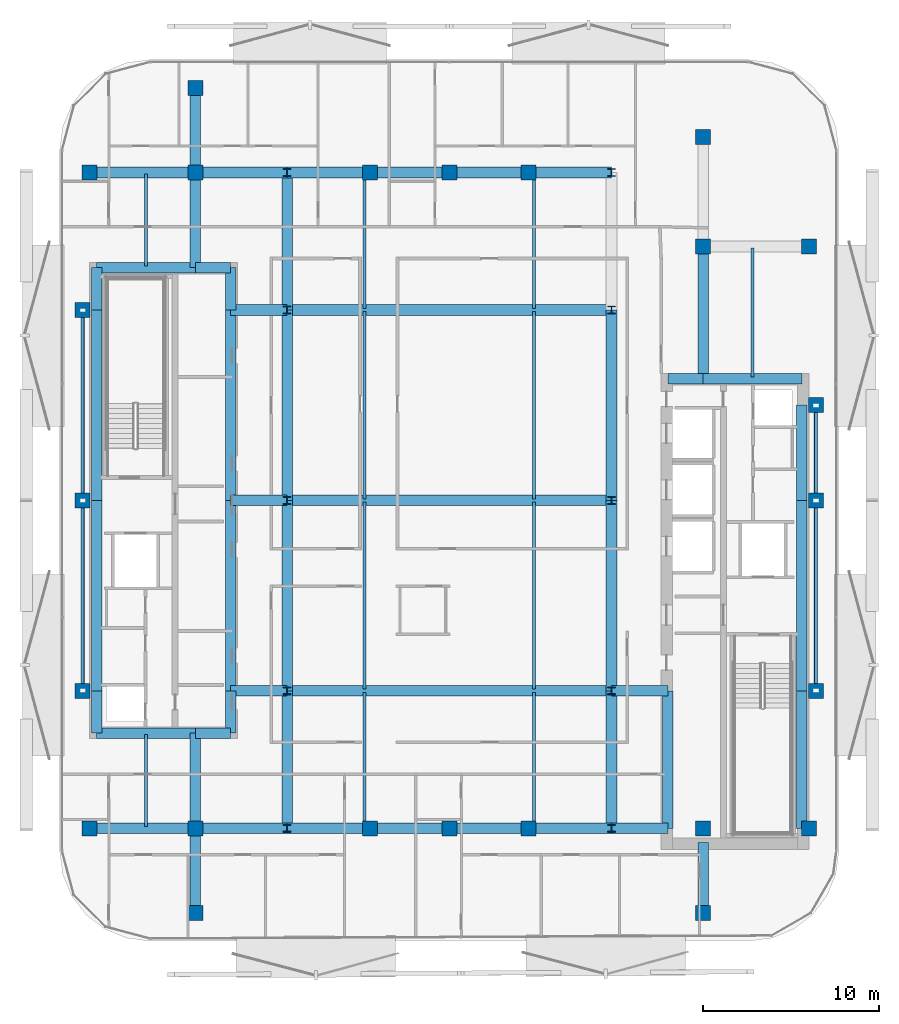
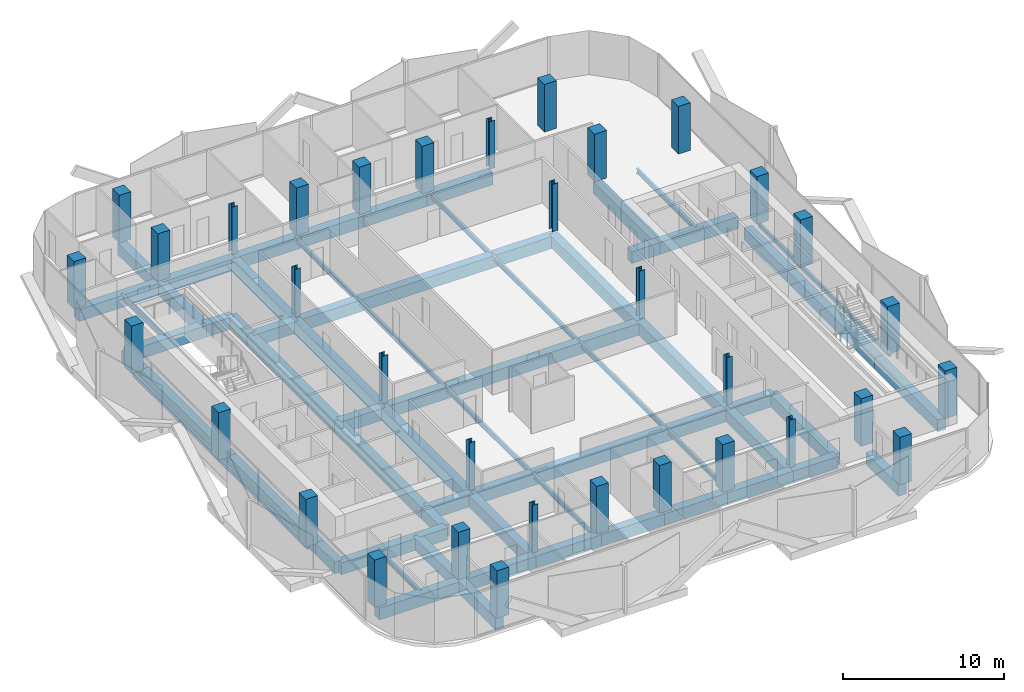
# One storey, part 1 of 14: 66 beams, 34 columns.
"""IFC4 building model written with IfcOpenShell, lengths in metres."""

from ifc_helpers import new_model, si_unit, direction, frame, origin, origin_2d, place, context, subcontext, project, spatial, rectangle, hollow_rectangle, i_section, extrude, material, material_profile, profile_set, type_object, element, save


model = new_model("IFC4")

# Units and contexts
model_context = context("Model", 3, precision=1e-05, world=origin(), true_north=direction((0.0, 1.0)))
body_context = subcontext(model_context, "Body", "Model", "MODEL_VIEW")
ifc_project = project(units=[si_unit("LENGTHUNIT", "METRE"), si_unit("AREAUNIT", "SQUARE_METRE"), si_unit("VOLUMEUNIT", "CUBIC_METRE"), si_unit("PLANEANGLEUNIT", "RADIAN"), si_unit("MASSUNIT", "GRAM", prefix="KILO")], contexts=[model_context])

# Site, building, storey
site_placement = place(None, origin())
site = spatial("IfcSite", under=ifc_project, at=site_placement, CompositionType="ELEMENT")
building_placement = place(site_placement, origin())
building = spatial("IfcBuilding", under=site, at=building_placement, Name="Khairoan Windgate Tower", CompositionType="ELEMENT")
storey_placement = place(building_placement, frame((0.0, 0.0, 229.60009765625)))
storey = spatial("IfcBuildingStorey", under=building, at=storey_placement, Name="L53", CompositionType="ELEMENT", Elevation=229.60009765625)

# Columns
ifc_material_1 = material(Name="Concrete C50/60", Category="concrete")
ifc_material_profile_1 = material_profile(ifc_material_1, rectangle(XDim=0.85009765625, YDim=0.85009765625, at=origin_2d()))
ifc_profile_set_1 = profile_set([ifc_material_profile_1], Name="Concrete C50/60")
column_type_1 = type_object("IfcColumnType", Name="Column C-T5 RC850x850", PredefinedType="COLUMN", material=ifc_profile_set_1)
for number, where, z_axis, x_axis, name in (
    (1, (-20.39990234375, -18.60009765625, 0.0), (0.0, 0.0, 1.0), (1.0, 0.0, 0.0), "Column L53-11"),
    (2, (-20.39990234375, 18.60009765625, 0.0), (0.0, 0.0, 1.0), (1.0, 0.0, 0.0), "Column L53-12"),
    (3, (20.39990234375, -18.60009765625, 0.0), (0.0, 0.0, 1.0), (1.0, 0.0, 0.0), "Column L53-13"),
    (4, (20.39990234375, 14.39990234375, 0.0), (0.0, 0.0, 1.0), (1.0, 0.0, 0.0), "Column L53-14"),
    (5, (-14.39990234375, -18.60009765625, 0.0), (0.0, 0.0, 1.0), (1.0, 0.0, 0.0), "Column L53-15"),
    (6, (-14.39990234375, 18.60009765625, 0.0), (0.0, 0.0, 1.0), (1.0, 0.0, 0.0), "Column L53-16"),
    (7, (14.39990234375, -18.60009765625, 0.0), (0.0, 0.0, 1.0), (1.0, 0.0, 0.0), "Column L53-17"),
    (8, (14.39990234375, 14.39990234375, 0.0), (0.0, 0.0, 1.0), (1.0, 0.0, 0.0), "Column L53-18"),
    (9, (-4.5, -18.60009765625, 0.0), (0.0, 0.0, 1.0), (1.0, 0.0, 0.0), "Column L53-19"),
    (10, (0.0, -18.60009765625, 0.0), (0.0, 0.0, 1.0), (1.0, 0.0, 0.0), "Column L53-20"),
    (11, (4.5, -18.60009765625, 0.0), (0.0, 0.0, 1.0), (1.0, 0.0, 0.0), "Column L53-21"),
    (12, (-4.5, 18.60009765625, 0.0), (0.0, 0.0, 1.0), (1.0, 0.0, 0.0), "Column L53-22"),
    (13, (0.0, 18.60009765625, 0.0), (0.0, 0.0, 1.0), (1.0, 0.0, 0.0), "Column L53-23"),
    (14, (4.5, 18.60009765625, 0.0), (0.0, 0.0, 1.0), (1.0, 0.0, 0.0), "Column L53-24"),
    (15, (-20.800048828125, -10.800048828125, 0.0), (0.0, 0.0, 1.0), (1.0, 0.0, 0.0), "Column L53-25"),
    (16, (-20.800048828125, 0.0, 0.0), (0.0, 0.0, 1.0), (1.0, 0.0, 0.0), "Column L53-26"),
    (17, (-20.800048828125, 10.800048828125, 0.0), (0.0, 0.0, 1.0), (1.0, 0.0, 0.0), "Column L53-27"),
    (18, (20.800048828125, -10.800048828125, 0.0), (0.0, 0.0, 1.0), (1.0, 0.0, 0.0), "Column L53-28"),
    (19, (20.800048828125, 0.0, 0.0), (0.0, 0.0, 1.0), (1.0, 0.0, 0.0), "Column L53-29"),
    (20, (20.800048828125, 5.39990234375, 0.0), (0.0, 0.0, 1.0), (1.0, 0.0, 0.0), "Column L53-30"),
    (21, (-14.39990234375, -23.39990234375, 0.0), (0.0, 0.0, 1.0), (1.0, 0.0, 0.0), "Column L53-31"),
    (22, (-14.39990234375, 23.39990234375, 0.0), (0.0, 0.0, 1.0), (1.0, 0.0, 0.0), "Column L53-32"),
    (23, (14.39990234375, -23.39990234375, 0.0), (0.0, 0.0, 1.0), (1.0, 0.0, 0.0), "Column L53-33"),
    (24, (14.39990234375, 20.60009765625, 0.0), (0.0, 0.0, 1.0), (1.0, 0.0, 0.0), "Column L53-34"),
):
    element("IfcColumn", number, at=place(storey_placement, frame(where, z_axis=z_axis, x_axis=x_axis)), inside=storey, type_object=column_type_1, Name=name, PredefinedType="COLUMN", context=body_context, shape_type="SweptSolid", body=[
        extrude(rectangle(XDim=0.85009765625, YDim=0.85009765625, at=origin_2d()), origin(), (0.0, 0.0, 1.0), 3.599853515625),
    ])
ifc_material_2 = material(Name="Steel S355", Category="steel")
ifc_material_profile_2 = material_profile(ifc_material_2, i_section(OverallWidth=0.406982421875, OverallDepth=0.427978515625, WebThickness=0.02001953125, FlangeThickness=0.034912109375, FilletRadius=0.02197265625, at=origin_2d()))
ifc_profile_set_2 = profile_set([ifc_material_profile_2], Name="Steel S355")
column_type_2 = type_object("IfcColumnType", Name="Steel Column SC3 H428x407x20x35", PredefinedType="COLUMN", material=ifc_profile_set_2)
for number, where, z_axis, x_axis, name in (
    (25, (-9.199951171875, -18.60009765625, 0.0), (0.0, 0.0, 1.0), (1.0, 0.0, 0.0), "Column L53-01"),
    (26, (-9.199951171875, -10.800048828125, 0.0), (0.0, 0.0, 1.0), (1.0, 0.0, 0.0), "Column L53-02"),
    (27, (-9.199951171875, 0.0, 0.0), (0.0, 0.0, 1.0), (1.0, 0.0, 0.0), "Column L53-03"),
    (28, (-9.199951171875, 10.800048828125, 0.0), (0.0, 0.0, 1.0), (1.0, 0.0, 0.0), "Column L53-04"),
    (29, (-9.199951171875, 18.60009765625, 0.0), (0.0, 0.0, 1.0), (1.0, 0.0, 0.0), "Column L53-05"),
    (30, (9.199951171875, -18.60009765625, 0.0), (0.0, 0.0, 1.0), (1.0, 0.0, 0.0), "Column L53-06"),
    (31, (9.199951171875, -10.800048828125, 0.0), (0.0, 0.0, 1.0), (1.0, 0.0, 0.0), "Column L53-07"),
    (32, (9.199951171875, 0.0, 0.0), (0.0, 0.0, 1.0), (1.0, 0.0, 0.0), "Column L53-08"),
    (33, (9.199951171875, 10.800048828125, 0.0), (0.0, 0.0, 1.0), (1.0, 0.0, 0.0), "Column L53-09"),
    (34, (9.199951171875, 18.60009765625, 0.0), (0.0, 0.0, 1.0), (1.0, 0.0, 0.0), "Column L53-10"),
):
    element("IfcColumn", number, at=place(storey_placement, frame(where, z_axis=z_axis, x_axis=x_axis)), inside=storey, type_object=column_type_2, Name=name, PredefinedType="COLUMN", context=body_context, shape_type="SweptSolid", body=[
        extrude(i_section(OverallWidth=0.406982421875, OverallDepth=0.427978515625, WebThickness=0.02001953125, FlangeThickness=0.034912109375, FilletRadius=0.02197265625, at=origin_2d()), origin(), (0.0, 0.0, 1.0), 3.599853515625),
    ])

# Beams
ifc_material_3 = material(Name="Concrete C50/60", Category="concrete")
ifc_material_profile_3 = material_profile(ifc_material_3, rectangle(XDim=0.60009765625, YDim=0.89990234375, at=origin_2d()))
ifc_profile_set_3 = profile_set([ifc_material_profile_3], Name="Concrete C50/60")
beam_type_1 = type_object("IfcBeamType", Name="Beam B-RC1 RC600x900", PredefinedType="BEAM", material=ifc_profile_set_3)
beam_1_placement = place(storey_placement, frame((-20.39990234375, -18.60009765625, -0.710205078125), z_axis=(1.0, 0.0, 0.0), x_axis=(0.0, 1.0, 0.0)))
element("IfcBeam", 35, at=beam_1_placement, inside=storey, type_object=beam_type_1, Name="L53 E-W Primary Girder 01", PredefinedType="BEAM", context=body_context, shape_type="SweptSolid", body=[
    extrude(rectangle(XDim=0.60009765625, YDim=0.89990234375, at=origin_2d()), origin(), (0.0, 0.0, 1.0), 6.0),
])
beam_2_placement = place(storey_placement, frame((-14.39990234375, -18.60009765625, -0.710205078125), z_axis=(1.0, 0.0, 0.0), x_axis=(0.0, 1.0, 0.0)))
element("IfcBeam", 36, at=beam_2_placement, inside=storey, type_object=beam_type_1, Name="L53 E-W Primary Girder 02", PredefinedType="BEAM", context=body_context, shape_type="SweptSolid", body=[
    extrude(rectangle(XDim=0.60009765625, YDim=0.89990234375, at=origin_2d()), origin(), (0.0, 0.0, 1.0), 5.199951171875),
])
beam_3_placement = place(storey_placement, frame((-9.199951171875, -18.60009765625, -0.710205078125), z_axis=(1.0, 0.0, 0.0), x_axis=(0.0, 1.0, 0.0)))
element("IfcBeam", 37, at=beam_3_placement, inside=storey, type_object=beam_type_1, Name="L53 E-W Primary Girder 03", PredefinedType="BEAM", context=body_context, shape_type="SweptSolid", body=[
    extrude(rectangle(XDim=0.60009765625, YDim=0.89990234375, at=origin_2d()), origin(), (0.0, 0.0, 1.0), 4.699951171875),
])
for number, where, z_axis, x_axis, name in (
    (38, (-4.5, -18.60009765625, -0.710205078125), (1.0, 0.0, 0.0), (0.0, 1.0, 0.0), "L53 E-W Primary Girder 04"),
    (39, (0.0, -18.60009765625, -0.710205078125), (1.0, 0.0, 0.0), (0.0, 1.0, 0.0), "L53 E-W Primary Girder 05"),
):
    element("IfcBeam", number, at=place(storey_placement, frame(where, z_axis=z_axis, x_axis=x_axis)), inside=storey, type_object=beam_type_1, Name=name, PredefinedType="BEAM", context=body_context, shape_type="SweptSolid", body=[
        extrude(rectangle(XDim=0.60009765625, YDim=0.89990234375, at=origin_2d()), origin(), (0.0, 0.0, 1.0), 4.5),
    ])
beam_4_placement = place(storey_placement, frame((4.5, -18.60009765625, -0.710205078125), z_axis=(1.0, 0.0, 0.0), x_axis=(0.0, 1.0, 0.0)))
element("IfcBeam", 40, at=beam_4_placement, inside=storey, type_object=beam_type_1, Name="L53 E-W Primary Girder 06", PredefinedType="BEAM", context=body_context, shape_type="SweptSolid", body=[
    extrude(rectangle(XDim=0.60009765625, YDim=0.89990234375, at=origin_2d()), origin(), (0.0, 0.0, 1.0), 4.699951171875),
])
beam_5_placement = place(storey_placement, frame((9.199951171875, -18.60009765625, -0.710205078125), z_axis=(1.0, 0.0, 0.0), x_axis=(0.0, 1.0, 0.0)))
element("IfcBeam", 41, at=beam_5_placement, inside=storey, type_object=beam_type_1, Name="L53 E-W Primary Girder 07", PredefinedType="BEAM", context=body_context, shape_type="SweptSolid", body=[
    extrude(rectangle(XDim=0.60009765625, YDim=0.89990234375, at=origin_2d()), origin(), (0.0, 0.0, 1.0), 3.199951171875),
])
beam_6_placement = place(storey_placement, frame((-20.0, -13.199951171875, -0.710205078125), z_axis=(1.0, 0.0, 0.0), x_axis=(0.0, 1.0, 0.0)))
element("IfcBeam", 42, at=beam_6_placement, inside=storey, type_object=beam_type_1, Name="L53 E-W Primary Girder 08", PredefinedType="BEAM", context=body_context, shape_type="SweptSolid", body=[
    extrude(rectangle(XDim=0.60009765625, YDim=0.89990234375, at=origin_2d()), origin(), (0.0, 0.0, 1.0), 5.60009765625),
])
beam_7_placement = place(storey_placement, frame((-14.39990234375, -13.199951171875, -0.710205078125), z_axis=(1.0, 0.0, 0.0), x_axis=(0.0, 1.0, 0.0)))
element("IfcBeam", 43, at=beam_7_placement, inside=storey, type_object=beam_type_1, Name="L53 E-W Primary Girder 09", PredefinedType="BEAM", context=body_context, shape_type="SweptSolid", body=[
    extrude(rectangle(XDim=0.60009765625, YDim=0.89990234375, at=origin_2d()), origin(), (0.0, 0.0, 1.0), 2.0),
])
beam_8_placement = place(storey_placement, frame((-12.39990234375, -10.800048828125, -0.710205078125), z_axis=(1.0, 0.0, 0.0), x_axis=(0.0, 1.0, 0.0)))
element("IfcBeam", 44, at=beam_8_placement, inside=storey, type_object=beam_type_1, Name="L53 E-W Primary Girder 10", PredefinedType="BEAM", context=body_context, shape_type="SweptSolid", body=[
    extrude(rectangle(XDim=0.60009765625, YDim=0.89990234375, at=origin_2d()), origin(), (0.0, 0.0, 1.0), 3.199951171875),
])
beam_9_placement = place(storey_placement, frame((-9.199951171875, -10.800048828125, -0.710205078125), z_axis=(1.0, 0.0, 0.0), x_axis=(0.0, 1.0, 0.0)))
element("IfcBeam", 45, at=beam_9_placement, inside=storey, type_object=beam_type_1, Name="L53 E-W Primary Girder 11", PredefinedType="BEAM", context=body_context, shape_type="SweptSolid", body=[
    extrude(rectangle(XDim=0.60009765625, YDim=0.89990234375, at=origin_2d()), origin(), (0.0, 0.0, 1.0), 18.39990234375),
])
for number, where, z_axis, x_axis, name in (
    (46, (9.199951171875, -10.800048828125, -0.710205078125), (1.0, 0.0, 0.0), (0.0, 1.0, 0.0), "L53 E-W Primary Girder 12"),
    (47, (-12.39990234375, 0.0, -0.710205078125), (1.0, 0.0, 0.0), (0.0, 1.0, 0.0), "L53 E-W Primary Girder 13"),
):
    element("IfcBeam", number, at=place(storey_placement, frame(where, z_axis=z_axis, x_axis=x_axis)), inside=storey, type_object=beam_type_1, Name=name, PredefinedType="BEAM", context=body_context, shape_type="SweptSolid", body=[
        extrude(rectangle(XDim=0.60009765625, YDim=0.89990234375, at=origin_2d()), origin(), (0.0, 0.0, 1.0), 3.199951171875),
    ])
beam_10_placement = place(storey_placement, frame((-9.199951171875, 0.0, -0.710205078125), z_axis=(1.0, 0.0, 0.0), x_axis=(0.0, 1.0, 0.0)))
element("IfcBeam", 48, at=beam_10_placement, inside=storey, type_object=beam_type_1, Name="L53 E-W Primary Girder 14", PredefinedType="BEAM", context=body_context, shape_type="SweptSolid", body=[
    extrude(rectangle(XDim=0.60009765625, YDim=0.89990234375, at=origin_2d()), origin(), (0.0, 0.0, 1.0), 18.39990234375),
])
beam_11_placement = place(storey_placement, frame((12.39990234375, 6.89990234375, -0.710205078125), z_axis=(1.0, 0.0, 0.0), x_axis=(0.0, 1.0, 0.0)))
element("IfcBeam", 49, at=beam_11_placement, inside=storey, type_object=beam_type_1, Name="L53 E-W Primary Girder 15", PredefinedType="BEAM", context=body_context, shape_type="SweptSolid", body=[
    extrude(rectangle(XDim=0.60009765625, YDim=0.89990234375, at=origin_2d()), origin(), (0.0, 0.0, 1.0), 2.0),
])
beam_12_placement = place(storey_placement, frame((14.39990234375, 6.89990234375, -0.710205078125), z_axis=(1.0, 0.0, 0.0), x_axis=(0.0, 1.0, 0.0)))
element("IfcBeam", 50, at=beam_12_placement, inside=storey, type_object=beam_type_1, Name="L53 E-W Primary Girder 16", PredefinedType="BEAM", context=body_context, shape_type="SweptSolid", body=[
    extrude(rectangle(XDim=0.60009765625, YDim=0.89990234375, at=origin_2d()), origin(), (0.0, 0.0, 1.0), 5.60009765625),
])
beam_13_placement = place(storey_placement, frame((-12.39990234375, 10.800048828125, -0.710205078125), z_axis=(1.0, 0.0, 0.0), x_axis=(0.0, 1.0, 0.0)))
element("IfcBeam", 51, at=beam_13_placement, inside=storey, type_object=beam_type_1, Name="L53 E-W Primary Girder 17", PredefinedType="BEAM", context=body_context, shape_type="SweptSolid", body=[
    extrude(rectangle(XDim=0.60009765625, YDim=0.89990234375, at=origin_2d()), origin(), (0.0, 0.0, 1.0), 3.199951171875),
])
beam_14_placement = place(storey_placement, frame((-9.199951171875, 10.800048828125, -0.710205078125), z_axis=(1.0, 0.0, 0.0), x_axis=(0.0, 1.0, 0.0)))
element("IfcBeam", 52, at=beam_14_placement, inside=storey, type_object=beam_type_1, Name="L53 E-W Primary Girder 18", PredefinedType="BEAM", context=body_context, shape_type="SweptSolid", body=[
    extrude(rectangle(XDim=0.60009765625, YDim=0.89990234375, at=origin_2d()), origin(), (0.0, 0.0, 1.0), 18.39990234375),
])
beam_15_placement = place(storey_placement, frame((-20.0, 13.199951171875, -0.710205078125), z_axis=(1.0, 0.0, 0.0), x_axis=(0.0, 1.0, 0.0)))
element("IfcBeam", 53, at=beam_15_placement, inside=storey, type_object=beam_type_1, Name="L53 E-W Primary Girder 19", PredefinedType="BEAM", context=body_context, shape_type="SweptSolid", body=[
    extrude(rectangle(XDim=0.60009765625, YDim=0.89990234375, at=origin_2d()), origin(), (0.0, 0.0, 1.0), 5.60009765625),
])
beam_16_placement = place(storey_placement, frame((-14.39990234375, 13.199951171875, -0.710205078125), z_axis=(1.0, 0.0, 0.0), x_axis=(0.0, 1.0, 0.0)))
element("IfcBeam", 54, at=beam_16_placement, inside=storey, type_object=beam_type_1, Name="L53 E-W Primary Girder 20", PredefinedType="BEAM", context=body_context, shape_type="SweptSolid", body=[
    extrude(rectangle(XDim=0.60009765625, YDim=0.89990234375, at=origin_2d()), origin(), (0.0, 0.0, 1.0), 2.0),
])
beam_17_placement = place(storey_placement, frame((-20.39990234375, 18.60009765625, -0.710205078125), z_axis=(1.0, 0.0, 0.0), x_axis=(0.0, 1.0, 0.0)))
element("IfcBeam", 55, at=beam_17_placement, inside=storey, type_object=beam_type_1, Name="L53 E-W Primary Girder 22", PredefinedType="BEAM", context=body_context, shape_type="SweptSolid", body=[
    extrude(rectangle(XDim=0.60009765625, YDim=0.89990234375, at=origin_2d()), origin(), (0.0, 0.0, 1.0), 6.0),
])
beam_18_placement = place(storey_placement, frame((-14.39990234375, 18.60009765625, -0.710205078125), z_axis=(1.0, 0.0, 0.0), x_axis=(0.0, 1.0, 0.0)))
element("IfcBeam", 56, at=beam_18_placement, inside=storey, type_object=beam_type_1, Name="L53 E-W Primary Girder 23", PredefinedType="BEAM", context=body_context, shape_type="SweptSolid", body=[
    extrude(rectangle(XDim=0.60009765625, YDim=0.89990234375, at=origin_2d()), origin(), (0.0, 0.0, 1.0), 5.199951171875),
])
beam_19_placement = place(storey_placement, frame((-9.199951171875, 18.60009765625, -0.710205078125), z_axis=(1.0, 0.0, 0.0), x_axis=(0.0, 1.0, 0.0)))
element("IfcBeam", 57, at=beam_19_placement, inside=storey, type_object=beam_type_1, Name="L53 E-W Primary Girder 24", PredefinedType="BEAM", context=body_context, shape_type="SweptSolid", body=[
    extrude(rectangle(XDim=0.60009765625, YDim=0.89990234375, at=origin_2d()), origin(), (0.0, 0.0, 1.0), 4.699951171875),
])
for number, where, z_axis, x_axis, name in (
    (58, (-4.5, 18.60009765625, -0.710205078125), (1.0, 0.0, 0.0), (0.0, 1.0, 0.0), "L53 E-W Primary Girder 25"),
    (59, (0.0, 18.60009765625, -0.710205078125), (1.0, 0.0, 0.0), (0.0, 1.0, 0.0), "L53 E-W Primary Girder 26"),
):
    element("IfcBeam", number, at=place(storey_placement, frame(where, z_axis=z_axis, x_axis=x_axis)), inside=storey, type_object=beam_type_1, Name=name, PredefinedType="BEAM", context=body_context, shape_type="SweptSolid", body=[
        extrude(rectangle(XDim=0.60009765625, YDim=0.89990234375, at=origin_2d()), origin(), (0.0, 0.0, 1.0), 4.5),
    ])
beam_20_placement = place(storey_placement, frame((4.5, 18.60009765625, -0.710205078125), z_axis=(1.0, 0.0, 0.0), x_axis=(0.0, 1.0, 0.0)))
element("IfcBeam", 60, at=beam_20_placement, inside=storey, type_object=beam_type_1, Name="L53 E-W Primary Girder 27", PredefinedType="BEAM", context=body_context, shape_type="SweptSolid", body=[
    extrude(rectangle(XDim=0.60009765625, YDim=0.89990234375, at=origin_2d()), origin(), (0.0, 0.0, 1.0), 4.699951171875),
])
beam_21_placement = place(storey_placement, frame((-20.0, -13.199951171875, -0.710205078125), z_axis=(0.0, 1.0, 0.0), x_axis=(-1.0, 0.0, 0.0)))
element("IfcBeam", 61, at=beam_21_placement, inside=storey, type_object=beam_type_1, Name="L53 N-S Primary Beam 30", PredefinedType="BEAM", context=body_context, shape_type="SweptSolid", body=[
    extrude(rectangle(XDim=0.60009765625, YDim=0.89990234375, at=origin_2d()), origin(), (0.0, 0.0, 1.0), 2.39990234375),
])
for number, where, z_axis, x_axis, name in (
    (62, (-20.0, -10.800048828125, -0.710205078125), (0.0, 1.0, 0.0), (-1.0, 0.0, 0.0), "L53 N-S Primary Beam 31"),
    (63, (-20.0, 0.0, -0.710205078125), (0.0, 1.0, 0.0), (-1.0, 0.0, 0.0), "L53 N-S Primary Beam 32"),
):
    element("IfcBeam", number, at=place(storey_placement, frame(where, z_axis=z_axis, x_axis=x_axis)), inside=storey, type_object=beam_type_1, Name=name, PredefinedType="BEAM", context=body_context, shape_type="SweptSolid", body=[
        extrude(rectangle(XDim=0.60009765625, YDim=0.89990234375, at=origin_2d()), origin(), (0.0, 0.0, 1.0), 10.800048828125),
    ])
beam_22_placement = place(storey_placement, frame((-20.0, 10.800048828125, -0.710205078125), z_axis=(0.0, 1.0, 0.0), x_axis=(-1.0, 0.0, 0.0)))
element("IfcBeam", 64, at=beam_22_placement, inside=storey, type_object=beam_type_1, Name="L53 N-S Primary Beam 33", PredefinedType="BEAM", context=body_context, shape_type="SweptSolid", body=[
    extrude(rectangle(XDim=0.60009765625, YDim=0.89990234375, at=origin_2d()), origin(), (0.0, 0.0, 1.0), 2.39990234375),
])
beam_23_placement = place(storey_placement, frame((-14.39990234375, -23.39990234375, -0.710205078125), z_axis=(0.0, 1.0, 0.0), x_axis=(-1.0, 0.0, 0.0)))
element("IfcBeam", 65, at=beam_23_placement, inside=storey, type_object=beam_type_1, Name="L53 N-S Primary Beam 34", PredefinedType="BEAM", context=body_context, shape_type="SweptSolid", body=[
    extrude(rectangle(XDim=0.60009765625, YDim=0.89990234375, at=origin_2d()), origin(), (0.0, 0.0, 1.0), 4.7998046875),
])
for number, where, z_axis, x_axis, name in (
    (66, (-14.39990234375, -18.60009765625, -0.710205078125), (0.0, 1.0, 0.0), (-1.0, 0.0, 0.0), "L53 N-S Primary Beam 35"),
    (67, (-14.39990234375, 13.199951171875, -0.710205078125), (0.0, 1.0, 0.0), (-1.0, 0.0, 0.0), "L53 N-S Primary Beam 36"),
):
    element("IfcBeam", number, at=place(storey_placement, frame(where, z_axis=z_axis, x_axis=x_axis)), inside=storey, type_object=beam_type_1, Name=name, PredefinedType="BEAM", context=body_context, shape_type="SweptSolid", body=[
        extrude(rectangle(XDim=0.60009765625, YDim=0.89990234375, at=origin_2d()), origin(), (0.0, 0.0, 1.0), 5.400146484375),
    ])
beam_24_placement = place(storey_placement, frame((-14.39990234375, 18.60009765625, -0.710205078125), z_axis=(0.0, 1.0, 0.0), x_axis=(-1.0, 0.0, 0.0)))
element("IfcBeam", 68, at=beam_24_placement, inside=storey, type_object=beam_type_1, Name="L53 N-S Primary Beam 37", PredefinedType="BEAM", context=body_context, shape_type="SweptSolid", body=[
    extrude(rectangle(XDim=0.60009765625, YDim=0.89990234375, at=origin_2d()), origin(), (0.0, 0.0, 1.0), 4.7998046875),
])
beam_25_placement = place(storey_placement, frame((-12.39990234375, -13.199951171875, -0.710205078125), z_axis=(0.0, 1.0, 0.0), x_axis=(-1.0, 0.0, 0.0)))
element("IfcBeam", 69, at=beam_25_placement, inside=storey, type_object=beam_type_1, Name="L53 N-S Primary Beam 38", PredefinedType="BEAM", context=body_context, shape_type="SweptSolid", body=[
    extrude(rectangle(XDim=0.60009765625, YDim=0.89990234375, at=origin_2d()), origin(), (0.0, 0.0, 1.0), 2.39990234375),
])
for number, where, z_axis, x_axis, name in (
    (70, (-12.39990234375, -10.800048828125, -0.710205078125), (0.0, 1.0, 0.0), (-1.0, 0.0, 0.0), "L53 N-S Primary Beam 39"),
    (71, (-12.39990234375, 0.0, -0.710205078125), (0.0, 1.0, 0.0), (-1.0, 0.0, 0.0), "L53 N-S Primary Beam 40"),
):
    element("IfcBeam", number, at=place(storey_placement, frame(where, z_axis=z_axis, x_axis=x_axis)), inside=storey, type_object=beam_type_1, Name=name, PredefinedType="BEAM", context=body_context, shape_type="SweptSolid", body=[
        extrude(rectangle(XDim=0.60009765625, YDim=0.89990234375, at=origin_2d()), origin(), (0.0, 0.0, 1.0), 10.800048828125),
    ])
beam_26_placement = place(storey_placement, frame((-12.39990234375, 10.800048828125, -0.710205078125), z_axis=(0.0, 1.0, 0.0), x_axis=(-1.0, 0.0, 0.0)))
element("IfcBeam", 72, at=beam_26_placement, inside=storey, type_object=beam_type_1, Name="L53 N-S Primary Beam 41", PredefinedType="BEAM", context=body_context, shape_type="SweptSolid", body=[
    extrude(rectangle(XDim=0.60009765625, YDim=0.89990234375, at=origin_2d()), origin(), (0.0, 0.0, 1.0), 2.39990234375),
])
beam_27_placement = place(storey_placement, frame((-9.199951171875, -18.60009765625, -0.710205078125), z_axis=(0.0, 1.0, 0.0), x_axis=(-1.0, 0.0, 0.0)))
element("IfcBeam", 73, at=beam_27_placement, inside=storey, type_object=beam_type_1, Name="L53 N-S Primary Beam 42", PredefinedType="BEAM", context=body_context, shape_type="SweptSolid", body=[
    extrude(rectangle(XDim=0.60009765625, YDim=0.89990234375, at=origin_2d()), origin(), (0.0, 0.0, 1.0), 7.800048828125),
])
for number, where, z_axis, x_axis, name in (
    (74, (-9.199951171875, -10.800048828125, -0.710205078125), (0.0, 1.0, 0.0), (-1.0, 0.0, 0.0), "L53 N-S Primary Beam 43"),
    (75, (-9.199951171875, 0.0, -0.710205078125), (0.0, 1.0, 0.0), (-1.0, 0.0, 0.0), "L53 N-S Primary Beam 44"),
):
    element("IfcBeam", number, at=place(storey_placement, frame(where, z_axis=z_axis, x_axis=x_axis)), inside=storey, type_object=beam_type_1, Name=name, PredefinedType="BEAM", context=body_context, shape_type="SweptSolid", body=[
        extrude(rectangle(XDim=0.60009765625, YDim=0.89990234375, at=origin_2d()), origin(), (0.0, 0.0, 1.0), 10.800048828125),
    ])
for number, where, z_axis, x_axis, name in (
    (76, (-9.199951171875, 10.800048828125, -0.710205078125), (0.0, 1.0, 0.0), (-1.0, 0.0, 0.0), "L53 N-S Primary Beam 45"),
    (77, (9.199951171875, -18.60009765625, -0.710205078125), (0.0, 1.0, 0.0), (-1.0, 0.0, 0.0), "L53 N-S Primary Beam 46"),
):
    element("IfcBeam", number, at=place(storey_placement, frame(where, z_axis=z_axis, x_axis=x_axis)), inside=storey, type_object=beam_type_1, Name=name, PredefinedType="BEAM", context=body_context, shape_type="SweptSolid", body=[
        extrude(rectangle(XDim=0.60009765625, YDim=0.89990234375, at=origin_2d()), origin(), (0.0, 0.0, 1.0), 7.800048828125),
    ])
for number, where, z_axis, x_axis, name in (
    (78, (9.199951171875, -10.800048828125, -0.710205078125), (0.0, 1.0, 0.0), (-1.0, 0.0, 0.0), "L53 N-S Primary Beam 47"),
    (79, (9.199951171875, 0.0, -0.710205078125), (0.0, 1.0, 0.0), (-1.0, 0.0, 0.0), "L53 N-S Primary Beam 48"),
):
    element("IfcBeam", number, at=place(storey_placement, frame(where, z_axis=z_axis, x_axis=x_axis)), inside=storey, type_object=beam_type_1, Name=name, PredefinedType="BEAM", context=body_context, shape_type="SweptSolid", body=[
        extrude(rectangle(XDim=0.60009765625, YDim=0.89990234375, at=origin_2d()), origin(), (0.0, 0.0, 1.0), 10.800048828125),
    ])
beam_28_placement = place(storey_placement, frame((12.39990234375, -18.60009765625, -0.710205078125), z_axis=(0.0, 1.0, 0.0), x_axis=(-1.0, 0.0, 0.0)))
element("IfcBeam", 80, at=beam_28_placement, inside=storey, type_object=beam_type_1, Name="L53 N-S Primary Beam 50", PredefinedType="BEAM", context=body_context, shape_type="SweptSolid", body=[
    extrude(rectangle(XDim=0.60009765625, YDim=0.89990234375, at=origin_2d()), origin(), (0.0, 0.0, 1.0), 7.800048828125),
])
beam_29_placement = place(storey_placement, frame((14.39990234375, -23.39990234375, -0.710205078125), z_axis=(0.0, 1.0, 0.0), x_axis=(-1.0, 0.0, 0.0)))
element("IfcBeam", 81, at=beam_29_placement, inside=storey, type_object=beam_type_1, Name="L53 N-S Primary Beam 51", PredefinedType="BEAM", context=body_context, shape_type="SweptSolid", body=[
    extrude(rectangle(XDim=0.60009765625, YDim=0.89990234375, at=origin_2d()), origin(), (0.0, 0.0, 1.0), 4.0),
])
beam_30_placement = place(storey_placement, frame((14.39990234375, 6.89990234375, -0.710205078125), z_axis=(0.0, 1.0, 0.0), x_axis=(-1.0, 0.0, 0.0)))
element("IfcBeam", 82, at=beam_30_placement, inside=storey, type_object=beam_type_1, Name="L53 N-S Primary Beam 52", PredefinedType="BEAM", context=body_context, shape_type="SweptSolid", body=[
    extrude(rectangle(XDim=0.60009765625, YDim=0.89990234375, at=origin_2d()), origin(), (0.0, 0.0, 1.0), 7.5),
])
beam_31_placement = place(storey_placement, frame((20.0, -18.60009765625, -0.710205078125), z_axis=(0.0, 1.0, 0.0), x_axis=(-1.0, 0.0, 0.0)))
element("IfcBeam", 83, at=beam_31_placement, inside=storey, type_object=beam_type_1, Name="L53 N-S Primary Beam 54", PredefinedType="BEAM", context=body_context, shape_type="SweptSolid", body=[
    extrude(rectangle(XDim=0.60009765625, YDim=0.89990234375, at=origin_2d()), origin(), (0.0, 0.0, 1.0), 7.800048828125),
])
beam_32_placement = place(storey_placement, frame((20.0, -10.800048828125, -0.710205078125), z_axis=(0.0, 1.0, 0.0), x_axis=(-1.0, 0.0, 0.0)))
element("IfcBeam", 84, at=beam_32_placement, inside=storey, type_object=beam_type_1, Name="L53 N-S Primary Beam 55", PredefinedType="BEAM", context=body_context, shape_type="SweptSolid", body=[
    extrude(rectangle(XDim=0.60009765625, YDim=0.89990234375, at=origin_2d()), origin(), (0.0, 0.0, 1.0), 10.800048828125),
])
beam_33_placement = place(storey_placement, frame((20.0, 0.0, -0.710205078125), z_axis=(0.0, 1.0, 0.0), x_axis=(-1.0, 0.0, 0.0)))
element("IfcBeam", 85, at=beam_33_placement, inside=storey, type_object=beam_type_1, Name="L53 N-S Primary Beam 56", PredefinedType="BEAM", context=body_context, shape_type="SweptSolid", body=[
    extrude(rectangle(XDim=0.60009765625, YDim=0.89990234375, at=origin_2d()), origin(), (0.0, 0.0, 1.0), 5.39990234375),
])
ifc_material_4 = material(Name="Steel S355", Category="steel")
ifc_material_profile_4 = material_profile(ifc_material_4, i_section(OverallWidth=0.175048828125, OverallDepth=0.35009765625, WebThickness=0.007080078125, FlangeThickness=0.010986328125, FilletRadius=0.013916015625, at=origin_2d()))
ifc_profile_set_4 = profile_set([ifc_material_profile_4], Name="Steel S355")
beam_type_2 = type_object("IfcBeamType", Name="Beam J-S5 H350x175x7x11", PredefinedType="JOIST", material=ifc_profile_set_4)
for number, where, z_axis, x_axis, name in (
    (86, (-17.199951171875, -18.510009765625, -0.43505859375), (0.0, 1.0, 0.0), (-1.0, 0.0, 0.0), "L53 Secondary Floor Joist 01"),
    (87, (-17.199951171875, 13.2900390625, -0.43505859375), (0.0, 1.0, 0.0), (-1.0, 0.0, 0.0), "L53 Secondary Floor Joist 02"),
):
    element("IfcBeam", number, at=place(storey_placement, frame(where, z_axis=z_axis, x_axis=x_axis)), inside=storey, type_object=beam_type_2, Name=name, PredefinedType="JOIST", context=body_context, shape_type="SweptSolid", body=[
        extrude(i_section(OverallWidth=0.175048828125, OverallDepth=0.35009765625, WebThickness=0.007080078125, FlangeThickness=0.010986328125, FilletRadius=0.013916015625, at=origin_2d()), origin(), (0.0, 0.0, 1.0), 5.219970703125),
    ])
beam_34_placement = place(storey_placement, frame((-4.800048828125, -18.510009765625, -0.43505859375), z_axis=(0.0, 1.0, 0.0), x_axis=(-1.0, 0.0, 0.0)))
element("IfcBeam", 88, at=beam_34_placement, inside=storey, type_object=beam_type_2, Name="L53 Secondary Floor Joist 03", PredefinedType="JOIST", context=body_context, shape_type="SweptSolid", body=[
    extrude(i_section(OverallWidth=0.175048828125, OverallDepth=0.35009765625, WebThickness=0.007080078125, FlangeThickness=0.010986328125, FilletRadius=0.013916015625, at=origin_2d()), origin(), (0.0, 0.0, 1.0), 7.6201171875),
])
for number, where, z_axis, x_axis, name in (
    (89, (-4.800048828125, -10.7099609375, -0.43505859375), (0.0, 1.0, 0.0), (-1.0, 0.0, 0.0), "L53 Secondary Floor Joist 04"),
    (90, (-4.800048828125, 0.090087890625, -0.43505859375), (0.0, 1.0, 0.0), (-1.0, 0.0, 0.0), "L53 Secondary Floor Joist 05"),
):
    element("IfcBeam", number, at=place(storey_placement, frame(where, z_axis=z_axis, x_axis=x_axis)), inside=storey, type_object=beam_type_2, Name=name, PredefinedType="JOIST", context=body_context, shape_type="SweptSolid", body=[
        extrude(i_section(OverallWidth=0.175048828125, OverallDepth=0.35009765625, WebThickness=0.007080078125, FlangeThickness=0.010986328125, FilletRadius=0.013916015625, at=origin_2d()), origin(), (0.0, 0.0, 1.0), 10.619873046875),
    ])
for number, where, z_axis, x_axis, name in (
    (91, (-4.800048828125, 10.889892578125, -0.43505859375), (0.0, 1.0, 0.0), (-1.0, 0.0, 0.0), "L53 Secondary Floor Joist 06"),
    (92, (4.800048828125, -18.510009765625, -0.43505859375), (0.0, 1.0, 0.0), (-1.0, 0.0, 0.0), "L53 Secondary Floor Joist 07"),
):
    element("IfcBeam", number, at=place(storey_placement, frame(where, z_axis=z_axis, x_axis=x_axis)), inside=storey, type_object=beam_type_2, Name=name, PredefinedType="JOIST", context=body_context, shape_type="SweptSolid", body=[
        extrude(i_section(OverallWidth=0.175048828125, OverallDepth=0.35009765625, WebThickness=0.007080078125, FlangeThickness=0.010986328125, FilletRadius=0.013916015625, at=origin_2d()), origin(), (0.0, 0.0, 1.0), 7.6201171875),
    ])
for number, where, z_axis, x_axis, name in (
    (93, (4.800048828125, -10.7099609375, -0.43505859375), (0.0, 1.0, 0.0), (-1.0, 0.0, 0.0), "L53 Secondary Floor Joist 08"),
    (94, (4.800048828125, 0.090087890625, -0.43505859375), (0.0, 1.0, 0.0), (-1.0, 0.0, 0.0), "L53 Secondary Floor Joist 09"),
):
    element("IfcBeam", number, at=place(storey_placement, frame(where, z_axis=z_axis, x_axis=x_axis)), inside=storey, type_object=beam_type_2, Name=name, PredefinedType="JOIST", context=body_context, shape_type="SweptSolid", body=[
        extrude(i_section(OverallWidth=0.175048828125, OverallDepth=0.35009765625, WebThickness=0.007080078125, FlangeThickness=0.010986328125, FilletRadius=0.013916015625, at=origin_2d()), origin(), (0.0, 0.0, 1.0), 10.619873046875),
    ])
beam_35_placement = place(storey_placement, frame((4.800048828125, 10.889892578125, -0.43505859375), z_axis=(0.0, 1.0, 0.0), x_axis=(-1.0, 0.0, 0.0)))
element("IfcBeam", 95, at=beam_35_placement, inside=storey, type_object=beam_type_2, Name="L53 Secondary Floor Joist 10", PredefinedType="JOIST", context=body_context, shape_type="SweptSolid", body=[
    extrude(i_section(OverallWidth=0.175048828125, OverallDepth=0.35009765625, WebThickness=0.007080078125, FlangeThickness=0.010986328125, FilletRadius=0.013916015625, at=origin_2d()), origin(), (0.0, 0.0, 1.0), 7.6201171875),
])
beam_36_placement = place(storey_placement, frame((17.199951171875, 6.989990234375, -0.43505859375), z_axis=(0.0, 1.0, 0.0), x_axis=(-1.0, 0.0, 0.0)))
element("IfcBeam", 96, at=beam_36_placement, inside=storey, type_object=beam_type_2, Name="L53 Secondary Floor Joist 11", PredefinedType="JOIST", context=body_context, shape_type="SweptSolid", body=[
    extrude(i_section(OverallWidth=0.175048828125, OverallDepth=0.35009765625, WebThickness=0.007080078125, FlangeThickness=0.010986328125, FilletRadius=0.013916015625, at=origin_2d()), origin(), (0.0, 0.0, 1.0), 7.320068359375),
])
ifc_material_5 = material(Name="Steel S355", Category="steel")
ifc_material_profile_5 = material_profile(ifc_material_5, hollow_rectangle(XDim=0.199951171875, YDim=0.300048828125, WallThickness=0.012451171875, InnerFilletRadius=0.012451171875, OuterFilletRadius=0.02490234375, at=origin_2d()))
ifc_profile_set_5 = profile_set([ifc_material_profile_5], Name="Steel S355")
beam_type_3 = type_object("IfcBeamType", Name="Beam SP-B3 RHS300x200x12.5", PredefinedType="SPANDREL", material=ifc_profile_set_5)
for number, where, z_axis, x_axis, name in (
    (97, (-20.800048828125, -10.800048828125, -0.41015625), (0.0, 1.0, 0.0), (-1.0, 0.0, 0.0), "L53 Spandrel Beam 28"),
    (98, (-20.800048828125, 0.0, -0.41015625), (0.0, 1.0, 0.0), (-1.0, 0.0, 0.0), "L53 Spandrel Beam 29"),
    (99, (20.800048828125, -10.800048828125, -0.41015625), (0.0, 1.0, 0.0), (-1.0, 0.0, 0.0), "L53 Spandrel Beam 57"),
):
    element("IfcBeam", number, at=place(storey_placement, frame(where, z_axis=z_axis, x_axis=x_axis)), inside=storey, type_object=beam_type_3, Name=name, PredefinedType="SPANDREL", context=body_context, shape_type="SweptSolid", body=[
        extrude(hollow_rectangle(XDim=0.199951171875, YDim=0.300048828125, WallThickness=0.012451171875, InnerFilletRadius=0.012451171875, OuterFilletRadius=0.02490234375, at=origin_2d()), origin(), (0.0, 0.0, 1.0), 10.800048828125),
    ])
beam_37_placement = place(storey_placement, frame((20.800048828125, 0.0, -0.41015625), z_axis=(0.0, 1.0, 0.0), x_axis=(-1.0, 0.0, 0.0)))
element("IfcBeam", 100, at=beam_37_placement, inside=storey, type_object=beam_type_3, Name="L53 Spandrel Beam 58", PredefinedType="SPANDREL", context=body_context, shape_type="SweptSolid", body=[
    extrude(hollow_rectangle(XDim=0.199951171875, YDim=0.300048828125, WallThickness=0.012451171875, InnerFilletRadius=0.012451171875, OuterFilletRadius=0.02490234375, at=origin_2d()), origin(), (0.0, 0.0, 1.0), 5.39990234375),
])

save(model, "model.ifc")
